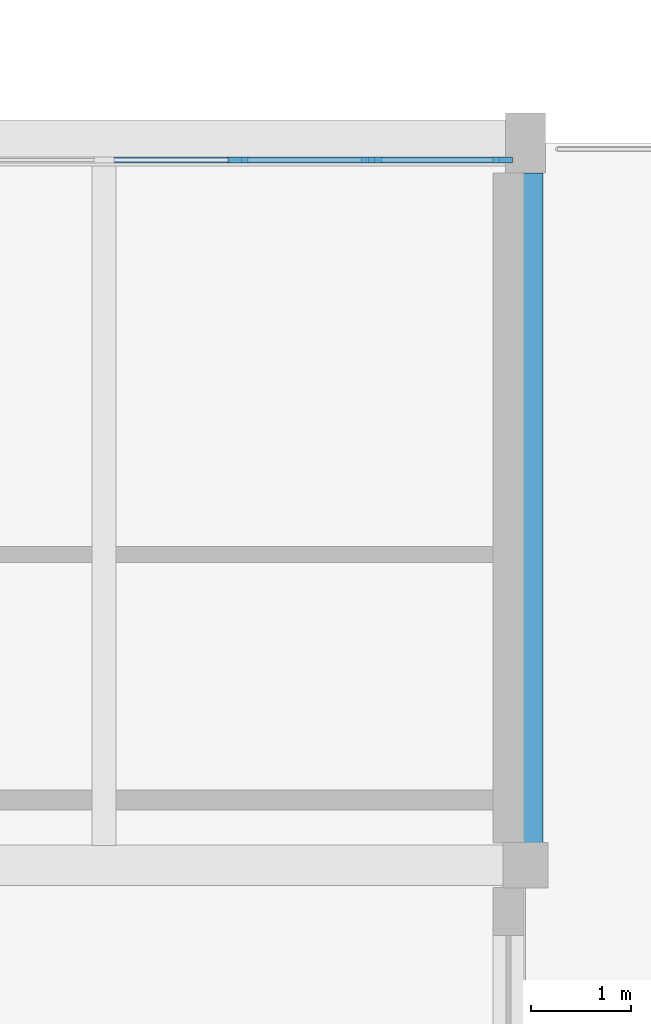
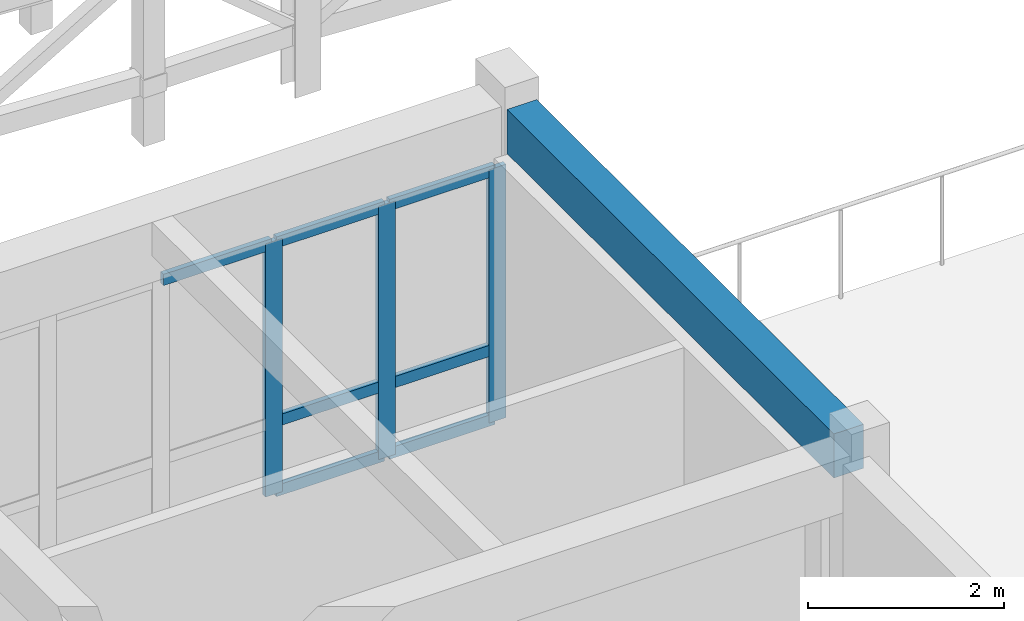
# One storey, part 24 of 89: 10 members, 1 beam, 1 element without a shape of its own.
"""IFC4 building model written with IfcOpenShell, lengths in metres."""

from ifc_helpers import new_model, si_unit, direction, frame, origin, origin_2d, place, context, subcontext, project, spatial, rectangle, extrude, material, material_profile, profile_set, type_object, element, aggregate, save


model = new_model("IFC4")

# Units and contexts
model_context = context("Model", 3, precision=1e-05, world=origin(), true_north=direction((0.0, 1.0)))
body_context = subcontext(model_context, "Body", "Model", "MODEL_VIEW")
ifc_project = project(units=[si_unit("LENGTHUNIT", "METRE"), si_unit("AREAUNIT", "SQUARE_METRE"), si_unit("VOLUMEUNIT", "CUBIC_METRE"), si_unit("PLANEANGLEUNIT", "RADIAN"), si_unit("MASSUNIT", "GRAM", prefix="KILO")], contexts=[model_context])

# Site, building, storey
site_placement = place(None, origin())
site = spatial("IfcSite", under=ifc_project, at=site_placement, CompositionType="ELEMENT")
building_placement = place(site_placement, origin())
building = spatial("IfcBuilding", under=site, at=building_placement, Name="Malvenik Polytechnic", CompositionType="ELEMENT")
storey_placement = place(building_placement, frame((0.0, 0.0, 13.5)))
storey = spatial("IfcBuildingStorey", under=building, at=storey_placement, Name="L03", CompositionType="ELEMENT", Elevation=13.5)

# Curtain wall, members
ifc_material_1 = material(Name="Anodised aluminium 6060-T6", Category="aluminium")
curtain_wall_type = type_object("IfcCurtainWallType", Name="ARC-CW-CW-02", PredefinedType="NOTDEFINED", material=ifc_material_1)
curtain_wall_placement = place(storey_placement, origin())
curtain_wall = element("IfcCurtainWall", 1, at=curtain_wall_placement, inside=storey, type_object=curtain_wall_type, Name="Unitised Curtain Wall CW-02 L03 #210", PredefinedType="NOTDEFINED")
ifc_material_2 = material(Name="Anodised aluminium", Category="aluminium")
ifc_material_profile_1 = material_profile(ifc_material_2, rectangle(XDim=0.06005859375, YDim=0.199951171875, at=origin_2d()), Name="ALU MULLION 60x200")
ifc_profile_set_1 = profile_set([ifc_material_profile_1], Name="Anodised aluminium")
member_type_1 = type_object("IfcMemberType", Name="ARC-CWM-200", PredefinedType="MULLION", material=ifc_profile_set_1)
member_1_placement = place(storey_placement, frame((64.333984375, 64.6298828125, 0.0), z_axis=(0.0, 0.0, 1.0), x_axis=(0.0, 1.0, 0.0)))
member_1 = element("IfcMember", 2, at=member_1_placement, type_object=member_type_1, Name="CW-02 mullion 5", PredefinedType="MULLION", context=body_context, shape_type="SweptSolid", body=[
    extrude(rectangle(XDim=0.06005859375, YDim=0.199951171875, at=origin_2d()), origin(), (0.0, 0.0, 1.0), 3.159912109375),
])
member_2_placement = place(storey_placement, frame((65.66796875, 64.6298828125, 0.0), z_axis=(0.0, 0.0, 1.0), x_axis=(0.0, 1.0, 0.0)))
member_2 = element("IfcMember", 3, at=member_2_placement, type_object=member_type_1, Name="CW-02 mullion 6", PredefinedType="MULLION", context=body_context, shape_type="SweptSolid", body=[
    extrude(rectangle(XDim=0.06005859375, YDim=0.199951171875, at=origin_2d()), origin(), (0.0, 0.0, 1.0), 3.159912109375),
])
member_3_placement = place(storey_placement, frame((66.971923828125, 64.6298828125, 0.0), z_axis=(0.0, 0.0, 1.0), x_axis=(0.0, 1.0, 0.0)))
member_3 = element("IfcMember", 4, at=member_3_placement, type_object=member_type_1, Name="CW-02 mullion 7", PredefinedType="MULLION", context=body_context, shape_type="SweptSolid", body=[
    extrude(rectangle(XDim=0.06005859375, YDim=0.199951171875, at=origin_2d()), origin(), (0.0, 0.0, 1.0), 3.159912109375),
])
ifc_material_profile_2 = material_profile(ifc_material_2, rectangle(XDim=0.06005859375, YDim=0.139892578125, at=origin_2d()), Name="ALU TRANSOM 60x140")
ifc_profile_set_2 = profile_set([ifc_material_profile_2], Name="Anodised aluminium")
member_type_2 = type_object("IfcMemberType", Name="ARC-CWT-140", PredefinedType="USERDEFINED", material=ifc_profile_set_2)
member_4_placement = place(storey_placement, frame((63.030029296875, 64.6298828125, 3.1298828125), z_axis=(1.0, 0.0, 0.0), x_axis=(0.0, 1.0, 0.0)))
member_4 = element("IfcMember", 5, at=member_4_placement, type_object=member_type_2, Name="CW-02 transom 4.3", ObjectType="TRANSOM", PredefinedType="USERDEFINED", context=body_context, shape_type="SweptSolid", body=[
    extrude(rectangle(XDim=0.06005859375, YDim=0.139892578125, at=origin_2d()), origin(), (0.0, 0.0, 1.0), 1.27392578125),
])
member_5_placement = place(storey_placement, frame((64.364013671875, 64.6298828125, 0.030029296875), z_axis=(1.0, 0.0, 0.0), x_axis=(0.0, 1.0, 0.0)))
member_5 = element("IfcMember", 6, at=member_5_placement, type_object=member_type_2, Name="CW-02 transom 5.1", ObjectType="TRANSOM", PredefinedType="USERDEFINED", context=body_context, shape_type="SweptSolid", body=[
    extrude(rectangle(XDim=0.06005859375, YDim=0.139892578125, at=origin_2d()), origin(), (0.0, 0.0, 1.0), 1.27392578125),
])
member_6_placement = place(storey_placement, frame((64.364013671875, 64.6298828125, 0.89990234375), z_axis=(1.0, 0.0, 0.0), x_axis=(0.0, 1.0, 0.0)))
member_6 = element("IfcMember", 7, at=member_6_placement, type_object=member_type_2, Name="CW-02 transom 5.2", ObjectType="TRANSOM", PredefinedType="USERDEFINED", context=body_context, shape_type="SweptSolid", body=[
    extrude(rectangle(XDim=0.06005859375, YDim=0.139892578125, at=origin_2d()), origin(), (0.0, 0.0, 1.0), 1.27392578125),
])
member_7_placement = place(storey_placement, frame((64.364013671875, 64.6298828125, 3.1298828125), z_axis=(1.0, 0.0, 0.0), x_axis=(0.0, 1.0, 0.0)))
member_7 = element("IfcMember", 8, at=member_7_placement, type_object=member_type_2, Name="CW-02 transom 5.3", ObjectType="TRANSOM", PredefinedType="USERDEFINED", context=body_context, shape_type="SweptSolid", body=[
    extrude(rectangle(XDim=0.06005859375, YDim=0.139892578125, at=origin_2d()), origin(), (0.0, 0.0, 1.0), 1.27392578125),
])
member_8_placement = place(storey_placement, frame((65.697998046875, 64.6298828125, 0.030029296875), z_axis=(1.0, 0.0, 0.0), x_axis=(0.0, 1.0, 0.0)))
member_8 = element("IfcMember", 9, at=member_8_placement, type_object=member_type_2, Name="CW-02 transom 6.1", ObjectType="TRANSOM", PredefinedType="USERDEFINED", context=body_context, shape_type="SweptSolid", body=[
    extrude(rectangle(XDim=0.06005859375, YDim=0.139892578125, at=origin_2d()), origin(), (0.0, 0.0, 1.0), 1.243896484375),
])
member_9_placement = place(storey_placement, frame((65.697998046875, 64.6298828125, 0.89990234375), z_axis=(1.0, 0.0, 0.0), x_axis=(0.0, 1.0, 0.0)))
member_9 = element("IfcMember", 10, at=member_9_placement, type_object=member_type_2, Name="CW-02 transom 6.2", ObjectType="TRANSOM", PredefinedType="USERDEFINED", context=body_context, shape_type="SweptSolid", body=[
    extrude(rectangle(XDim=0.06005859375, YDim=0.139892578125, at=origin_2d()), origin(), (0.0, 0.0, 1.0), 1.243896484375),
])
member_10_placement = place(storey_placement, frame((65.697998046875, 64.6298828125, 3.1298828125), z_axis=(1.0, 0.0, 0.0), x_axis=(0.0, 1.0, 0.0)))
member_10 = element("IfcMember", 11, at=member_10_placement, type_object=member_type_2, Name="CW-02 transom 6.3", ObjectType="TRANSOM", PredefinedType="USERDEFINED", context=body_context, shape_type="SweptSolid", body=[
    extrude(rectangle(XDim=0.06005859375, YDim=0.139892578125, at=origin_2d()), origin(), (0.0, 0.0, 1.0), 1.243896484375),
])
aggregate(curtain_wall, [member_1, member_2, member_3, member_4, member_5, member_6, member_7, member_8, member_9, member_10])

# Beam
ifc_material_3 = material(Name="Concrete C35/45", Category="concrete")
ifc_material_profile_3 = material_profile(ifc_material_3, rectangle(XDim=0.35009765625, YDim=0.550048828125, at=origin_2d()), Name="RC BM 350x550")
ifc_profile_set_3 = profile_set([ifc_material_profile_3], Name="Concrete C35/45")
beam_type = type_object("IfcBeamType", Name="STR-BM-B-08", PredefinedType="BEAM", material=ifc_profile_set_3)
beam_placement = place(storey_placement, frame((67.199951171875, 57.822998046875, 3.64501953125), z_axis=(0.0, 1.0, 0.0), x_axis=(-1.0, 0.0, 0.0)))
element("IfcBeam", 12, at=beam_placement, inside=storey, type_object=beam_type, Name="Transverse Beam B-08 L03 #1751", PredefinedType="BEAM", context=body_context, shape_type="SweptSolid", body=[
    extrude(rectangle(XDim=0.35009765625, YDim=0.550048828125, at=origin_2d()), origin(), (0.0, 0.0, 1.0), 6.678955078125),
])

save(model, "model.ifc")
